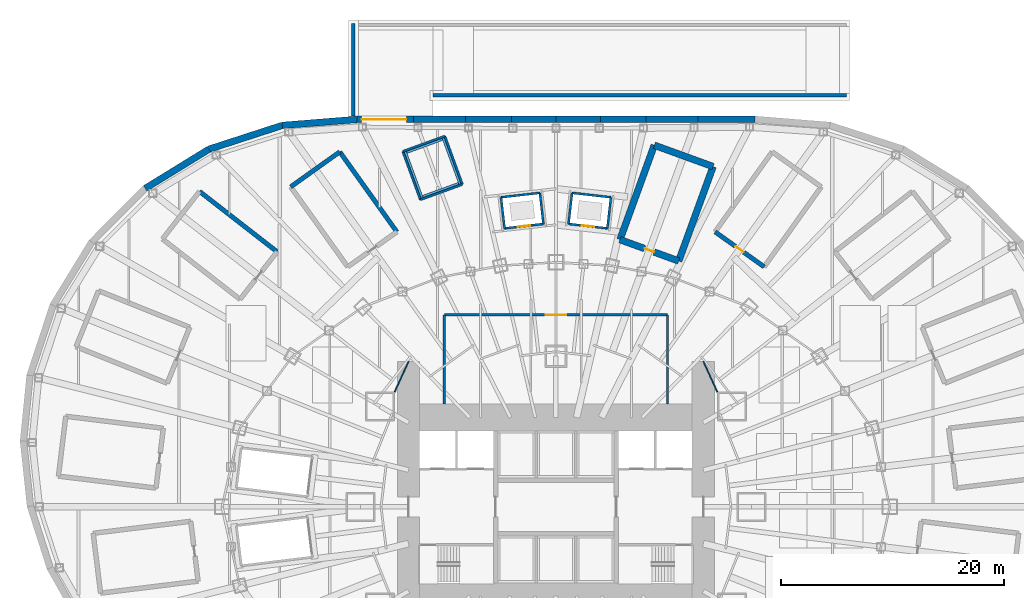
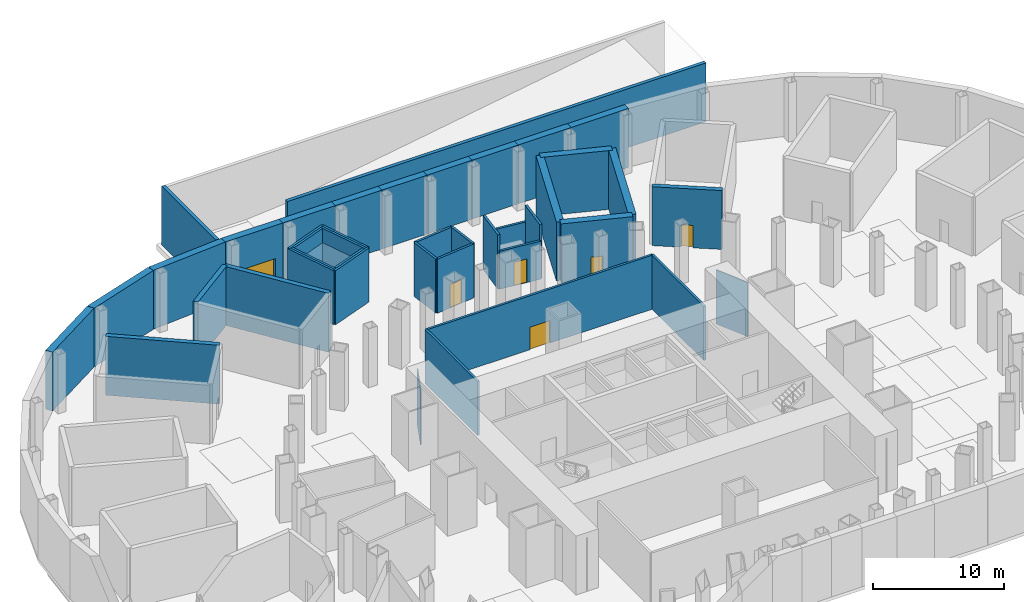
# One storey, part 12 of 19: 42 walls, 6 doors, 6 openings.
"""IFC4 building model written with IfcOpenShell, lengths in metres."""

from ifc_helpers import new_model, si_unit, direction, frame, frame_2d, origin, place, context, subcontext, project, spatial, rectangle, extrude, material, layer, layer_set, type_object, element, fill, save


model = new_model("IFC4")

# Units and contexts
model_context = context("Model", 3, precision=1e-05, world=origin(), true_north=direction((0.0, 1.0)))
body_context = subcontext(model_context, "Body", "Model", "MODEL_VIEW")
ifc_project = project(units=[si_unit("LENGTHUNIT", "METRE"), si_unit("AREAUNIT", "SQUARE_METRE"), si_unit("VOLUMEUNIT", "CUBIC_METRE"), si_unit("PLANEANGLEUNIT", "RADIAN"), si_unit("MASSUNIT", "GRAM", prefix="KILO")], contexts=[model_context])

# Site, building, storey
site_placement = place(None, origin())
site = spatial("IfcSite", under=ifc_project, at=site_placement, CompositionType="ELEMENT")
building_placement = place(site_placement, origin())
building = spatial("IfcBuilding", under=site, at=building_placement, Name="Lantaw Convention Tower", CompositionType="ELEMENT")
storey_placement = place(building_placement, frame((0.0, 0.0, -5.5)))
storey = spatial("IfcBuildingStorey", under=building, at=storey_placement, Name="B1", CompositionType="ELEMENT", Elevation=-5.5)

# Walls
ifc_material_1 = material(Name="Concrete C40/50", Category="concrete")
ifc_layer_1 = layer(ifc_material_1, 0.60009765625)
ifc_layer_set_1 = layer_set([ifc_layer_1], Name="Basement wall 600")
wall_type_1 = type_object("IfcWallType", Name="Basement wall 600", PredefinedType="SOLIDWALL", material=ifc_layer_set_1)
wall_1_placement = place(storey_placement, frame((17.8212890625, 34.699951171875, 0.0), z_axis=(0.0, 0.0, 1.0), x_axis=(-1.0, 0.0, 0.0)))
element("IfcWall", 1, at=wall_1_placement, inside=storey, type_object=wall_type_1, Name="Basement retaining wall 9", PredefinedType="SOLIDWALL", context=body_context, shape_type="SweptSolid", body=[
    extrude(rectangle(XDim=5.082275390625, YDim=0.60009765625, at=frame_2d((2.541015625, 0.0))), origin(), (0.0, 0.0, 1.0), 5.5),
])
wall_2_placement = place(storey_placement, frame((12.739013671875, 34.699951171875, 0.0), z_axis=(0.0, 0.0, 1.0), x_axis=(-1.0, 0.0, 0.0)))
element("IfcWall", 2, at=wall_2_placement, inside=storey, type_object=wall_type_1, Name="Basement retaining wall 10", PredefinedType="SOLIDWALL", context=body_context, shape_type="SweptSolid", body=[
    extrude(rectangle(XDim=4.65869140625, YDim=0.60009765625, at=frame_2d((2.329345703125, 0.0))), origin(), (0.0, 0.0, 1.0), 5.5),
])
wall_3_placement = place(storey_placement, frame((8.080322265625, 34.699951171875, 0.0), z_axis=(0.0, 0.0, 1.0), x_axis=(-1.0, 0.0, 0.0)))
element("IfcWall", 3, at=wall_3_placement, inside=storey, type_object=wall_type_1, Name="Basement retaining wall 11", PredefinedType="SOLIDWALL", context=body_context, shape_type="SweptSolid", body=[
    extrude(rectangle(XDim=4.092529296875, YDim=0.60009765625, at=frame_2d((2.04638671875, 0.0))), origin(), (0.0, 0.0, 1.0), 5.5),
])
for number, where, z_axis, x_axis, name in (
    (4, (3.98779296875, 34.699951171875, 0.0), (0.0, 0.0, 1.0), (-1.0, 0.0, 0.0), "Basement retaining wall 12"),
    (5, (0.0, 34.699951171875, 0.0), (0.0, 0.0, 1.0), (-1.0, 0.0, 0.0), "Basement retaining wall 13"),
):
    element("IfcWall", number, at=place(storey_placement, frame(where, z_axis=z_axis, x_axis=x_axis)), inside=storey, type_object=wall_type_1, Name=name, PredefinedType="SOLIDWALL", context=body_context, shape_type="SweptSolid", body=[
        extrude(rectangle(XDim=3.98779296875, YDim=0.60009765625, at=frame_2d((1.993896484375, 0.0))), origin(), (0.0, 0.0, 1.0), 5.5),
    ])
wall_4_placement = place(storey_placement, frame((-3.98779296875, 34.699951171875, 0.0), z_axis=(0.0, 0.0, 1.0), x_axis=(-1.0, 0.0, 0.0)))
element("IfcWall", 6, at=wall_4_placement, inside=storey, type_object=wall_type_1, Name="Basement retaining wall 14", PredefinedType="SOLIDWALL", context=body_context, shape_type="SweptSolid", body=[
    extrude(rectangle(XDim=4.092529296875, YDim=0.60009765625, at=frame_2d((2.04638671875, 0.0))), origin(), (0.0, 0.0, 1.0), 5.5),
])
wall_5_placement = place(storey_placement, frame((-8.080322265625, 34.699951171875, 0.0), z_axis=(0.0, 0.0, 1.0), x_axis=(-1.0, 0.0, 0.0)))
element("IfcWall", 7, at=wall_5_placement, inside=storey, type_object=wall_type_1, Name="Basement retaining wall 15", PredefinedType="SOLIDWALL", context=body_context, shape_type="SweptSolid", body=[
    extrude(rectangle(XDim=4.65869140625, YDim=0.60009765625, at=frame_2d((2.329345703125, 0.0))), origin(), (0.0, 0.0, 1.0), 5.5),
])

# Wall, opening, door
wall_6_placement = place(storey_placement, frame((-12.739013671875, 34.699951171875, 0.0), z_axis=(0.0, 0.0, 1.0), x_axis=(-1.0, 0.0, 0.0)))
wall_6 = element("IfcWall", 8, at=wall_6_placement, inside=storey, type_object=wall_type_1, Name="Basement retaining wall 16", PredefinedType="SOLIDWALL", context=body_context, shape_type="SweptSolid", body=[
    extrude(rectangle(XDim=5.082275390625, YDim=0.60009765625, at=frame_2d((2.541015625, 0.0))), origin(), (0.0, 0.0, 1.0), 5.5),
])
opening_1_placement = place(wall_6_placement, frame((0.660888671875, 0.0, 0.0)))
opening_1 = element("IfcOpeningElement", 9, at=opening_1_placement, cuts=wall_6, Name="Opening B1.VG1", PredefinedType="OPENING", context=body_context, shape_type="SweptSolid", body=[
    extrude(rectangle(XDim=4.0, YDim=2.39990234375, at=frame_2d((2.0, 1.199951171875))), frame((0.0, 0.31005859375, 0.0), z_axis=(0.0, -1.0, 0.0), x_axis=(1.0, 0.0, 0.0)), (0.0, 0.0, 1.0), 0.6201171875),
])
ifc_material_2 = material(Name="Aluminium and glass", Category="aluminium")
door_type_1 = type_object("IfcDoorType", Name="Vehicle gate 4000x2400", OperationType="ROLLINGUP", PredefinedType="DOOR", material=ifc_material_2)
door_1_placement = place(opening_1_placement, origin())
door_1 = element("IfcDoor", 10, at=door_1_placement, inside=storey, type_object=door_type_1, Name="Car park vehicle gate", OperationType="ROLLINGUP", OverallHeight=2.39990234375, OverallWidth=4.0, PredefinedType="DOOR", context=body_context, shape_type="SweptSolid", body=[
    extrude(rectangle(XDim=4.0, YDim=2.39990234375, at=frame_2d((2.0, 1.199951171875))), frame((0.0, 0.02490234375, 0.0), z_axis=(0.0, -1.0, 0.0), x_axis=(1.0, 0.0, 0.0)), (0.0, 0.0, 1.0), 0.050048828125),
])
fill(opening_1, door_1)

# Walls
wall_7_placement = place(storey_placement, frame((-17.8212890625, 34.699951171875, 0.0), z_axis=(0.0, 0.0, 1.0), x_axis=(-0.996792017292, -0.080035456285, 0.0)))
element("IfcWall", 11, at=wall_7_placement, inside=storey, type_object=wall_type_1, Name="Basement retaining wall 17", PredefinedType="SOLIDWALL", context=body_context, shape_type="SweptSolid", body=[
    extrude(rectangle(XDim=6.719970703125, YDim=0.60009765625, at=frame_2d((3.35986328125, 0.0))), origin(), (0.0, 0.0, 1.0), 5.5),
])
wall_8_placement = place(storey_placement, frame((-24.519775390625, 34.162109375, 0.0), z_axis=(0.0, 0.0, 1.0), x_axis=(-0.951130883604, -0.308788021554, 0.0)))
element("IfcWall", 12, at=wall_8_placement, inside=storey, type_object=wall_type_1, Name="Basement retaining wall 18", PredefinedType="SOLIDWALL", context=body_context, shape_type="SweptSolid", body=[
    extrude(rectangle(XDim=6.890380859375, YDim=0.60009765625, at=frame_2d((3.4453125, 0.0))), origin(), (0.0, 0.0, 1.0), 5.5),
])
wall_9_placement = place(storey_placement, frame((-31.073486328125, 32.034423828125, 0.0), z_axis=(0.0, 0.0, 1.0), x_axis=(-0.851796965753, -0.523872054165, 0.0)))
element("IfcWall", 13, at=wall_9_placement, inside=storey, type_object=wall_type_1, Name="Basement retaining wall 19", PredefinedType="SOLIDWALL", context=body_context, shape_type="SweptSolid", body=[
    extrude(rectangle(XDim=6.70947265625, YDim=0.60009765625, at=frame_2d((3.354736328125, 0.0))), origin(), (0.0, 0.0, 1.0), 5.5),
])
ifc_layer_2 = layer(ifc_material_1, 0.199951171875)
ifc_layer_set_2 = layer_set([ifc_layer_2], Name="Lift pit wall 200")
wall_type_2 = type_object("IfcWallType", Name="Lift pit wall 200", PredefinedType="SOLIDWALL", material=ifc_layer_set_2)
wall_10_placement = place(storey_placement, frame((-8.603271484375, 28.900390625, 3.699951171875), z_axis=(0.0, 0.0, 1.0), x_axis=(-0.342028182899, 0.939689694581, 0.0)))
element("IfcWall", 14, at=wall_10_placement, inside=storey, type_object=wall_type_2, Name="Lift pit wall", PredefinedType="SOLIDWALL", context=body_context, shape_type="SweptSolid", body=[
    extrude(rectangle(XDim=4.39990234375, YDim=0.199951171875, at=frame_2d((2.199951171875, 0.0))), origin(), (0.0, 0.0, 1.0), 1.35009765625),
])
wall_11_placement = place(storey_placement, frame((-10.16796875, 32.90673828125, 3.699951171875), z_axis=(0.0, 0.0, 1.0), x_axis=(-0.939699046647, -0.342002487902, 0.0)))
element("IfcWall", 15, at=wall_11_placement, inside=storey, type_object=wall_type_2, Name="Lift pit wall", PredefinedType="SOLIDWALL", context=body_context, shape_type="SweptSolid", body=[
    extrude(rectangle(XDim=3.400146484375, YDim=0.199951171875, at=frame_2d((1.7001953125, 0.0))), origin(), (0.0, 0.0, 1.0), 1.35009765625),
])
wall_12_placement = place(storey_placement, frame((-13.4912109375, 31.8037109375, 3.699951171875), z_axis=(0.0, 0.0, 1.0), x_axis=(0.342028182899, -0.939689694581, 0.0)))
element("IfcWall", 16, at=wall_12_placement, inside=storey, type_object=wall_type_2, Name="Lift pit wall", PredefinedType="SOLIDWALL", context=body_context, shape_type="SweptSolid", body=[
    extrude(rectangle(XDim=4.39990234375, YDim=0.199951171875, at=frame_2d((2.199951171875, 0.0))), origin(), (0.0, 0.0, 1.0), 1.35009765625),
])
wall_13_placement = place(storey_placement, frame((-11.926513671875, 27.79736328125, 3.699951171875), z_axis=(0.0, 0.0, 1.0), x_axis=(0.939699046647, 0.342002487902, 0.0)))
element("IfcWall", 17, at=wall_13_placement, inside=storey, type_object=wall_type_2, Name="Lift pit wall", PredefinedType="SOLIDWALL", context=body_context, shape_type="SweptSolid", body=[
    extrude(rectangle(XDim=3.400146484375, YDim=0.199951171875, at=frame_2d((1.7001953125, 0.0))), origin(), (0.0, 0.0, 1.0), 1.35009765625),
])
ifc_material_3 = material(Name="Concrete blockwork, fire rated", Category="masonry")
ifc_layer_3 = layer(ifc_material_3, 0.199951171875)
ifc_layer_set_3 = layer_set([ifc_layer_3], Name="Lift shaft wall 200 EI 120")
wall_type_3 = type_object("IfcWallType", Name="Lift shaft wall 200 EI 120", PredefinedType="SOLIDWALL", material=ifc_layer_set_3)
wall_14_placement = place(storey_placement, frame((4.602783203125, 24.939208984375, 0.0), z_axis=(0.0, 0.0, 1.0), x_axis=(0.113177712989, 0.993574760792, 0.0)))
element("IfcWall", 18, at=wall_14_placement, inside=storey, type_object=wall_type_3, Name="Lift shaft wall", PredefinedType="SOLIDWALL", context=body_context, shape_type="SweptSolid", body=[
    extrude(rectangle(XDim=2.800048828125, YDim=0.199951171875, at=frame_2d((1.39990234375, 0.0))), origin(), (0.0, 0.0, 1.0), 5.050048828125),
])
wall_15_placement = place(storey_placement, frame((4.919677734375, 27.72119140625, 0.0), z_axis=(0.0, 0.0, 1.0), x_axis=(-0.993571061716, 0.113210182053, 0.0)))
element("IfcWall", 19, at=wall_15_placement, inside=storey, type_object=wall_type_3, Name="Lift shaft wall", PredefinedType="SOLIDWALL", context=body_context, shape_type="SweptSolid", body=[
    extrude(rectangle(XDim=3.5, YDim=0.199951171875, at=frame_2d((1.75, 0.0))), origin(), (0.0, 0.0, 1.0), 3.550048828125),
])
wall_16_placement = place(storey_placement, frame((1.442138671875, 28.117431640625, 0.0), z_axis=(0.0, 0.0, 1.0), x_axis=(-0.113177712989, -0.993574760792, 0.0)))
element("IfcWall", 20, at=wall_16_placement, inside=storey, type_object=wall_type_3, Name="Lift shaft wall", PredefinedType="SOLIDWALL", context=body_context, shape_type="SweptSolid", body=[
    extrude(rectangle(XDim=2.800048828125, YDim=0.199951171875, at=frame_2d((1.39990234375, 0.0))), origin(), (0.0, 0.0, 1.0), 5.050048828125),
])

# Wall, opening, door
wall_17_placement = place(storey_placement, frame((1.125244140625, 25.33544921875, 0.0), z_axis=(0.0, 0.0, 1.0), x_axis=(0.993571061716, -0.113210182053, 0.0)))
wall_17 = element("IfcWall", 21, at=wall_17_placement, inside=storey, type_object=wall_type_3, Name="Lift shaft wall", PredefinedType="SOLIDWALL", context=body_context, shape_type="SweptSolid", body=[
    extrude(rectangle(XDim=3.5, YDim=0.199951171875, at=frame_2d((1.75, 0.0))), origin(), (0.0, 0.0, 1.0), 3.550048828125),
])
opening_2_placement = place(wall_17_placement, frame((1.199951171875, 0.0, 0.0)))
opening_2 = element("IfcOpeningElement", 22, at=opening_2_placement, cuts=wall_17, Name="Opening LDPL1", PredefinedType="OPENING", context=body_context, shape_type="SweptSolid", body=[
    extrude(rectangle(XDim=1.10009765625, YDim=2.199951171875, at=frame_2d((0.550048828125, 1.10009765625))), frame((0.0, 0.10986328125, 0.0), z_axis=(0.0, -1.0, 0.0), x_axis=(1.0, 0.0, 0.0)), (0.0, 0.0, 1.0), 0.219970703125),
])
ifc_material_4 = material(Name="Stainless steel", Category="steel")
door_type_2 = type_object("IfcDoorType", Name="Lift landing door 1100", OperationType="DOUBLE_DOOR_SLIDING", PredefinedType="DOOR", material=ifc_material_4)
door_2_placement = place(opening_2_placement, origin())
door_2 = element("IfcDoor", 23, at=door_2_placement, inside=storey, type_object=door_type_2, Name="Lift landing door PL1", OperationType="DOUBLE_DOOR_SLIDING", OverallHeight=2.199951171875, OverallWidth=1.10009765625, PredefinedType="DOOR", context=body_context, shape_type="SweptSolid", body=[
    extrude(rectangle(XDim=1.10009765625, YDim=2.199951171875, at=frame_2d((0.550048828125, 1.10009765625))), frame((0.0, 0.02490234375, 0.0), z_axis=(0.0, -1.0, 0.0), x_axis=(1.0, 0.0, 0.0)), (0.0, 0.0, 1.0), 0.050048828125),
])
fill(opening_2, door_2)

# Walls
wall_18_placement = place(storey_placement, frame((-1.125244140625, 25.33544921875, 0.0), z_axis=(0.0, 0.0, 1.0), x_axis=(-0.113177712989, 0.993574760792, 0.0)))
element("IfcWall", 24, at=wall_18_placement, inside=storey, type_object=wall_type_3, Name="Lift shaft wall", PredefinedType="SOLIDWALL", context=body_context, shape_type="SweptSolid", body=[
    extrude(rectangle(XDim=2.800048828125, YDim=0.199951171875, at=frame_2d((1.39990234375, 0.0))), origin(), (0.0, 0.0, 1.0), 5.050048828125),
])
wall_19_placement = place(storey_placement, frame((-1.442138671875, 28.117431640625, 0.0), z_axis=(0.0, 0.0, 1.0), x_axis=(-0.993571061716, -0.113210182053, 0.0)))
element("IfcWall", 25, at=wall_19_placement, inside=storey, type_object=wall_type_3, Name="Lift shaft wall", PredefinedType="SOLIDWALL", context=body_context, shape_type="SweptSolid", body=[
    extrude(rectangle(XDim=3.5, YDim=0.199951171875, at=frame_2d((1.75, 0.0))), origin(), (0.0, 0.0, 1.0), 5.050048828125),
])
wall_20_placement = place(storey_placement, frame((-4.919677734375, 27.72119140625, 0.0), z_axis=(0.0, 0.0, 1.0), x_axis=(0.113177712989, -0.993574760792, 0.0)))
element("IfcWall", 26, at=wall_20_placement, inside=storey, type_object=wall_type_3, Name="Lift shaft wall", PredefinedType="SOLIDWALL", context=body_context, shape_type="SweptSolid", body=[
    extrude(rectangle(XDim=2.800048828125, YDim=0.199951171875, at=frame_2d((1.39990234375, 0.0))), origin(), (0.0, 0.0, 1.0), 5.050048828125),
])

# Wall, opening, door
wall_21_placement = place(storey_placement, frame((-4.602783203125, 24.939208984375, 0.0), z_axis=(0.0, 0.0, 1.0), x_axis=(0.993571061716, 0.113210182053, 0.0)))
wall_21 = element("IfcWall", 27, at=wall_21_placement, inside=storey, type_object=wall_type_3, Name="Lift shaft wall", PredefinedType="SOLIDWALL", context=body_context, shape_type="SweptSolid", body=[
    extrude(rectangle(XDim=3.5, YDim=0.199951171875, at=frame_2d((1.75, 0.0))), origin(), (0.0, 0.0, 1.0), 5.050048828125),
])
opening_3_placement = place(wall_21_placement, frame((1.199951171875, 0.0, 0.0)))
opening_3 = element("IfcOpeningElement", 28, at=opening_3_placement, cuts=wall_21, Name="Opening LDPL2", PredefinedType="OPENING", context=body_context, shape_type="SweptSolid", body=[
    extrude(rectangle(XDim=1.10009765625, YDim=2.199951171875, at=frame_2d((0.550048828125, 1.10009765625))), frame((0.0, 0.10986328125, 0.0), z_axis=(0.0, -1.0, 0.0), x_axis=(1.0, 0.0, 0.0)), (0.0, 0.0, 1.0), 0.219970703125),
])
door_3_placement = place(opening_3_placement, origin())
door_3 = element("IfcDoor", 29, at=door_3_placement, inside=storey, type_object=door_type_2, Name="Lift landing door PL2", OperationType="DOUBLE_DOOR_SLIDING", OverallHeight=2.199951171875, OverallWidth=1.10009765625, PredefinedType="DOOR", context=body_context, shape_type="SweptSolid", body=[
    extrude(rectangle(XDim=1.10009765625, YDim=2.199951171875, at=frame_2d((0.550048828125, 1.10009765625))), frame((0.0, 0.02490234375, 0.0), z_axis=(0.0, -1.0, 0.0), x_axis=(1.0, 0.0, 0.0)), (0.0, 0.0, 1.0), 0.050048828125),
])
fill(opening_3, door_3)

# Walls
ifc_layer_4 = layer(ifc_material_3, 0.199951171875)
ifc_layer_set_4 = layer_set([ifc_layer_4], Name="Lift shaft wall 200 EI 120 load-bearing")
wall_type_4 = type_object("IfcWallType", Name="Lift shaft wall 200 EI 120 load-bearing", PredefinedType="SOLIDWALL", material=ifc_layer_set_4)
wall_22_placement = place(storey_placement, frame((-8.381103515625, 28.874755859375, 0.0), z_axis=(0.0, 0.0, 1.0), x_axis=(-0.342045591466, 0.93968335803, 0.0)))
element("IfcWall", 30, at=wall_22_placement, inside=storey, type_object=wall_type_4, Name="Lift shaft wall", PredefinedType="SOLIDWALL", context=body_context, shape_type="SweptSolid", body=[
    extrude(rectangle(XDim=4.600341796875, YDim=0.199951171875, at=frame_2d((2.30029296875, 0.0))), origin(), (0.0, 0.0, 1.0), 5.050048828125),
])
wall_23_placement = place(storey_placement, frame((-9.95458984375, 33.197509765625, 0.0), z_axis=(0.0, 0.0, 1.0), x_axis=(-0.939686455819, -0.342037080957, 0.0)))
element("IfcWall", 31, at=wall_23_placement, inside=storey, type_object=wall_type_4, Name="Lift shaft wall", PredefinedType="SOLIDWALL", context=body_context, shape_type="SweptSolid", body=[
    extrude(rectangle(XDim=4.0, YDim=0.199951171875, at=frame_2d((2.0, 0.0))), origin(), (0.0, 0.0, 1.0), 5.050048828125),
])
wall_24_placement = place(storey_placement, frame((-13.71337890625, 31.829345703125, 0.0), z_axis=(0.0, 0.0, 1.0), x_axis=(0.342062650202, -0.939677148459, 0.0)))
element("IfcWall", 32, at=wall_24_placement, inside=storey, type_object=wall_type_4, Name="Lift shaft wall", PredefinedType="SOLIDWALL", context=body_context, shape_type="SweptSolid", body=[
    extrude(rectangle(XDim=4.60009765625, YDim=0.199951171875, at=frame_2d((2.300048828125, 0.0))), origin(), (0.0, 0.0, 1.0), 5.050048828125),
])
wall_25_placement = place(storey_placement, frame((-12.139892578125, 27.5068359375, 0.0), z_axis=(0.0, 0.0, 1.0), x_axis=(0.939706071622, 0.341983185197, 0.0)))
element("IfcWall", 33, at=wall_25_placement, inside=storey, type_object=wall_type_4, Name="Lift shaft wall", PredefinedType="SOLIDWALL", context=body_context, shape_type="SweptSolid", body=[
    extrude(rectangle(XDim=4.0, YDim=0.199951171875, at=frame_2d((2.0, 0.0))), origin(), (0.0, 0.0, 1.0), 5.050048828125),
])
ifc_material_5 = material(Name="Gypsum board on steel studs, acoustic", Category="steel")
ifc_layer_5 = layer(ifc_material_5, 0.10009765625)
ifc_layer_set_5 = layer_set([ifc_layer_5], Name="Office partition 100")
wall_type_5 = type_object("IfcWallType", Name="Office partition 100", PredefinedType="PARTITIONING", material=ifc_layer_set_5)
for number, where, z_axis, x_axis, name in (
    (34, (13.199951171875, 13.0, 0.0), (0.0, 0.0, 1.0), (0.420129824888, -0.907464010437, 0.0), "Office partition 100"),
    (35, (-13.199951171875, 13.0, 0.0), (0.0, 0.0, 1.0), (-0.420129824888, -0.907464010437, 0.0), "Office partition 100"),
):
    element("IfcWall", number, at=place(storey_placement, frame(where, z_axis=z_axis, x_axis=x_axis)), inside=storey, type_object=wall_type_5, Name=name, PredefinedType="PARTITIONING", context=body_context, shape_type="SweptSolid", body=[
        extrude(rectangle(XDim=2.975341796875, YDim=0.10009765625, at=frame_2d((1.48779296875, 0.0))), origin(), (0.0, 0.0, 1.0), 5.050048828125),
    ])

# Wall, opening, door
ifc_layer_6 = layer(ifc_material_3, 0.199951171875)
ifc_layer_set_6 = layer_set([ifc_layer_6], Name="Plant room wall 200 EI 120")
wall_type_6 = type_object("IfcWallType", Name="Plant room wall 200 EI 120", PredefinedType="SOLIDWALL", material=ifc_layer_set_6)
wall_26_placement = place(storey_placement, frame((-10.0, 17.199951171875, 0.0), z_axis=(0.0, 0.0, 1.0), x_axis=(1.0, 0.0, 0.0)))
wall_26 = element("IfcWall", 36, at=wall_26_placement, inside=storey, type_object=wall_type_6, Name="Plant room wall 200", PredefinedType="SOLIDWALL", context=body_context, shape_type="SweptSolid", body=[
    extrude(rectangle(XDim=20.0, YDim=0.199951171875, at=frame_2d((10.0, 0.0))), origin(), (0.0, 0.0, 1.0), 5.050048828125),
])
opening_4_placement = place(wall_26_placement, frame((9.10009765625, 0.0, 0.0)))
opening_4 = element("IfcOpeningElement", 37, at=opening_4_placement, cuts=wall_26, Name="Opening B1.11", PredefinedType="OPENING", context=body_context, shape_type="SweptSolid", body=[
    extrude(rectangle(XDim=1.800048828125, YDim=2.10009765625, at=frame_2d((0.89990234375, 1.050048828125))), frame((0.0, 0.10986328125, 0.0), z_axis=(0.0, -1.0, 0.0), x_axis=(1.0, 0.0, 0.0)), (0.0, 0.0, 1.0), 0.219970703125),
])
ifc_material_6 = material(Name="Steel, fire rated", Category="steel")
door_type_3 = type_object("IfcDoorType", Name="Plant room double door FD90", OperationType="DOUBLE_DOOR_DOUBLE_SWING", PredefinedType="DOOR", material=ifc_material_6)
door_4_placement = place(opening_4_placement, origin())
door_4 = element("IfcDoor", 38, at=door_4_placement, inside=storey, type_object=door_type_3, Name="Electrical substation door", OperationType="DOUBLE_DOOR_DOUBLE_SWING", OverallHeight=2.10009765625, OverallWidth=1.800048828125, PredefinedType="DOOR", context=body_context, shape_type="SweptSolid", body=[
    extrude(rectangle(XDim=1.800048828125, YDim=2.10009765625, at=frame_2d((0.89990234375, 1.050048828125))), frame((0.0, 0.02490234375, 0.0), z_axis=(0.0, -1.0, 0.0), x_axis=(1.0, 0.0, 0.0)), (0.0, 0.0, 1.0), 0.050048828125),
])
fill(opening_4, door_4)

# Walls
for number, where, z_axis, x_axis, name in (
    (39, (-10.0, 9.199951171875, 0.0), (0.0, 0.0, 1.0), (0.0, 1.0, 0.0), "Plant room wall 200"),
    (40, (10.0, 9.199951171875, 0.0), (0.0, 0.0, 1.0), (0.0, 1.0, 0.0), "Plant room wall 200"),
):
    element("IfcWall", number, at=place(storey_placement, frame(where, z_axis=z_axis, x_axis=x_axis)), inside=storey, type_object=wall_type_6, Name=name, PredefinedType="SOLIDWALL", context=body_context, shape_type="SweptSolid", body=[
        extrude(rectangle(XDim=8.0, YDim=0.199951171875, at=frame_2d((4.0, 0.0))), origin(), (0.0, 0.0, 1.0), 5.050048828125),
    ])
ifc_layer_7 = layer(ifc_material_1, 0.300048828125)
ifc_layer_set_7 = layer_set([ifc_layer_7], Name="Ramp retaining wall 300 load-bearing")
wall_type_7 = type_object("IfcWallType", Name="Ramp retaining wall 300 load-bearing", PredefinedType="SOLIDWALL", material=ifc_layer_set_7)
wall_27_placement = place(storey_placement, frame((-11.0, 36.85009765625, 0.0), z_axis=(0.0, 0.0, 1.0), x_axis=(1.0, 0.0, 0.0)))
element("IfcWall", 41, at=wall_27_placement, inside=storey, type_object=wall_type_7, Name="Ramp retaining wall", PredefinedType="SOLIDWALL", context=body_context, shape_type="SweptSolid", body=[
    extrude(rectangle(XDim=37.0, YDim=0.300048828125, at=frame_2d((18.5, 0.0))), origin(), (0.0, 0.0, 1.0), 5.5),
])
wall_28_placement = place(storey_placement, frame((-18.14990234375, 43.300048828125, 0.0), z_axis=(0.0, 0.0, 1.0), x_axis=(0.0, -1.0, 0.0)))
element("IfcWall", 42, at=wall_28_placement, inside=storey, type_object=wall_type_7, Name="Ramp retaining wall", PredefinedType="SOLIDWALL", context=body_context, shape_type="SweptSolid", body=[
    extrude(rectangle(XDim=8.300048828125, YDim=0.300048828125, at=frame_2d((4.14990234375, 0.0))), origin(), (0.0, 0.0, 1.0), 5.5),
])

# Wall, opening, door
ifc_material_7 = material(Name="Concrete C40/50, stair core", Category="concrete")
ifc_layer_8 = layer(ifc_material_7, 0.39990234375)
ifc_layer_set_8 = layer_set([ifc_layer_8], Name="Stair core wall 400 EI 120")
wall_type_8 = type_object("IfcWallType", Name="Stair core wall 400 EI 120", PredefinedType="SHEAR", material=ifc_layer_set_8)
wall_29_placement = place(storey_placement, frame((14.2509765625, 24.628662109375, 0.0), z_axis=(0.0, 0.0, 1.0), x_axis=(0.814121252423, -0.580694916762, 0.0)))
wall_29 = element("IfcWall", 43, at=wall_29_placement, inside=storey, type_object=wall_type_8, Name="Stair core wall 400", PredefinedType="SHEAR", context=body_context, shape_type="SweptSolid", body=[
    extrude(rectangle(XDim=5.39990234375, YDim=0.39990234375, at=frame_2d((2.699951171875, 0.0))), origin(), (0.0, 0.0, 1.0), 5.5),
])
opening_5_placement = place(wall_29_placement, frame((2.25, 0.0, 0.0)))
opening_5 = element("IfcOpeningElement", 44, at=opening_5_placement, cuts=wall_29, Name="Opening B1.16", PredefinedType="OPENING", context=body_context, shape_type="SweptSolid", body=[
    extrude(rectangle(XDim=0.89990234375, YDim=2.10009765625, at=frame_2d((0.449951171875, 1.050048828125))), frame((0.0, 0.2099609375, 0.0), z_axis=(0.0, -1.0, 0.0), x_axis=(1.0, 0.0, 0.0)), (0.0, 0.0, 1.0), 0.419921875),
])
door_type_4 = type_object("IfcDoorType", Name="Store door 900 FD60", OperationType="SINGLE_SWING_LEFT", PredefinedType="DOOR", material=ifc_material_6)
door_5_placement = place(opening_5_placement, origin())
door_5 = element("IfcDoor", 45, at=door_5_placement, inside=storey, type_object=door_type_4, Name="Store door", OperationType="SINGLE_SWING_LEFT", OverallHeight=2.10009765625, OverallWidth=0.89990234375, PredefinedType="DOOR", context=body_context, shape_type="SweptSolid", body=[
    extrude(rectangle(XDim=0.89990234375, YDim=2.10009765625, at=frame_2d((0.449951171875, 1.050048828125))), frame((0.0, 0.02490234375, 0.0), z_axis=(0.0, -1.0, 0.0), x_axis=(1.0, 0.0, 0.0)), (0.0, 0.0, 1.0), 0.050048828125),
])
fill(opening_5, door_5)

# Walls
wall_30_placement = place(storey_placement, frame((-14.2509765625, 24.628662109375, 0.0), z_axis=(0.0, 0.0, 1.0), x_axis=(-0.580705313356, 0.814113836659, 0.0)))
element("IfcWall", 46, at=wall_30_placement, inside=storey, type_object=wall_type_8, Name="Stair core wall 400", PredefinedType="SHEAR", context=body_context, shape_type="SweptSolid", body=[
    extrude(rectangle(XDim=8.7998046875, YDim=0.39990234375, at=frame_2d((4.39990234375, 0.0))), origin(), (0.0, 0.0, 1.0), 5.5),
])
wall_31_placement = place(storey_placement, frame((-19.361083984375, 31.792724609375, 0.0), z_axis=(0.0, 0.0, 1.0), x_axis=(-0.814121252423, -0.580694916762, 0.0)))
element("IfcWall", 47, at=wall_31_placement, inside=storey, type_object=wall_type_8, Name="Stair core wall 400", PredefinedType="SHEAR", context=body_context, shape_type="SweptSolid", body=[
    extrude(rectangle(XDim=5.39990234375, YDim=0.39990234375, at=frame_2d((2.699951171875, 0.0))), origin(), (0.0, 0.0, 1.0), 5.5),
])
wall_32_placement = place(storey_placement, frame((-24.9775390625, 22.845703125, 0.0), z_axis=(0.0, 0.0, 1.0), x_axis=(-0.78938060008, 0.613904119726, 0.0)))
element("IfcWall", 48, at=wall_32_placement, inside=storey, type_object=wall_type_8, Name="Stair core wall 400", PredefinedType="SHEAR", context=body_context, shape_type="SweptSolid", body=[
    extrude(rectangle(XDim=8.800048828125, YDim=0.39990234375, at=frame_2d((4.39990234375, 0.0))), origin(), (0.0, 0.0, 1.0), 5.5),
])
ifc_layer_9 = layer(ifc_material_7, 0.60009765625)
ifc_layer_set_9 = layer_set([ifc_layer_9], Name="Stair core wall 600 EI 120")
wall_type_9 = type_object("IfcWallType", Name="Stair core wall 600 EI 120", PredefinedType="SHEAR", material=ifc_layer_set_9)
wall_33_placement = place(storey_placement, frame((10.9921875, 22.01416015625, 0.0), z_axis=(0.0, 0.0, 1.0), x_axis=(0.342013127703, 0.939695174234, 0.0)))
element("IfcWall", 49, at=wall_33_placement, inside=storey, type_object=wall_type_9, Name="Stair core wall 600", PredefinedType="SHEAR", context=body_context, shape_type="SweptSolid", body=[
    extrude(rectangle(XDim=9.0, YDim=0.60009765625, at=frame_2d((4.5, 0.0))), origin(), (0.0, 0.0, 1.0), 5.5),
])
wall_34_placement = place(storey_placement, frame((14.0703125, 30.471435546875, 0.0), z_axis=(0.0, 0.0, 1.0), x_axis=(-0.939692822968, 0.342019587834, 0.0)))
element("IfcWall", 50, at=wall_34_placement, inside=storey, type_object=wall_type_9, Name="Stair core wall 600", PredefinedType="SHEAR", context=body_context, shape_type="SweptSolid", body=[
    extrude(rectangle(XDim=5.599853515625, YDim=0.60009765625, at=frame_2d((2.7998046875, 0.0))), origin(), (0.0, 0.0, 1.0), 5.5),
])
wall_35_placement = place(storey_placement, frame((8.80810546875, 32.38671875, 0.0), z_axis=(0.0, 0.0, 1.0), x_axis=(-0.3420218461, -0.939692001025, 0.0)))
element("IfcWall", 51, at=wall_35_placement, inside=storey, type_object=wall_type_9, Name="Stair core wall 600", PredefinedType="SHEAR", context=body_context, shape_type="SweptSolid", body=[
    extrude(rectangle(XDim=8.999755859375, YDim=0.60009765625, at=frame_2d((4.5, 0.0))), origin(), (0.0, 0.0, 1.0), 5.5),
])

# Wall, opening, door
wall_36_placement = place(storey_placement, frame((5.72998046875, 23.9296875, 0.0), z_axis=(0.0, 0.0, 1.0), x_axis=(0.939678810556, -0.342058084236, 0.0)))
wall_36 = element("IfcWall", 52, at=wall_36_placement, inside=storey, type_object=wall_type_9, Name="Stair core wall 600", PredefinedType="SHEAR", context=body_context, shape_type="SweptSolid", body=[
    extrude(rectangle(XDim=5.60009765625, YDim=0.60009765625, at=frame_2d((2.800048828125, 0.0))), origin(), (0.0, 0.0, 1.0), 5.5),
])
opening_6_placement = place(wall_36_placement, frame((2.35009765625, 0.0, 0.0)))
opening_6 = element("IfcOpeningElement", 53, at=opening_6_placement, cuts=wall_36, Name="Opening B1.17", PredefinedType="OPENING", context=body_context, shape_type="SweptSolid", body=[
    extrude(rectangle(XDim=0.89990234375, YDim=2.10009765625, at=frame_2d((0.449951171875, 1.050048828125))), frame((0.0, 0.31005859375, 0.0), z_axis=(0.0, -1.0, 0.0), x_axis=(1.0, 0.0, 0.0)), (0.0, 0.0, 1.0), 0.6201171875),
])
door_6_placement = place(opening_6_placement, origin())
door_6 = element("IfcDoor", 54, at=door_6_placement, inside=storey, type_object=door_type_4, Name="Store door", OperationType="SINGLE_SWING_LEFT", OverallHeight=2.10009765625, OverallWidth=0.89990234375, PredefinedType="DOOR", context=body_context, shape_type="SweptSolid", body=[
    extrude(rectangle(XDim=0.89990234375, YDim=2.10009765625, at=frame_2d((0.449951171875, 1.050048828125))), frame((0.0, 0.02490234375, 0.0), z_axis=(0.0, -1.0, 0.0), x_axis=(1.0, 0.0, 0.0)), (0.0, 0.0, 1.0), 0.050048828125),
])
fill(opening_6, door_6)

save(model, "model.ifc")
